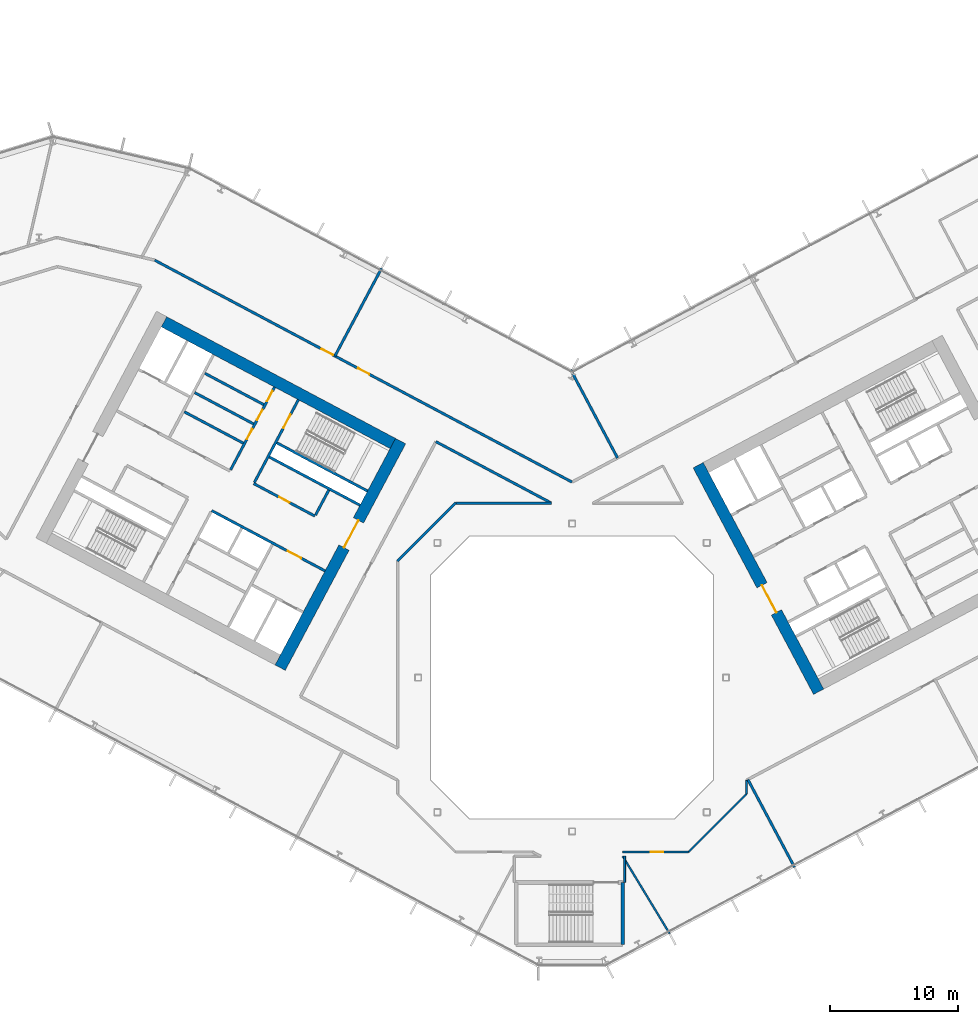
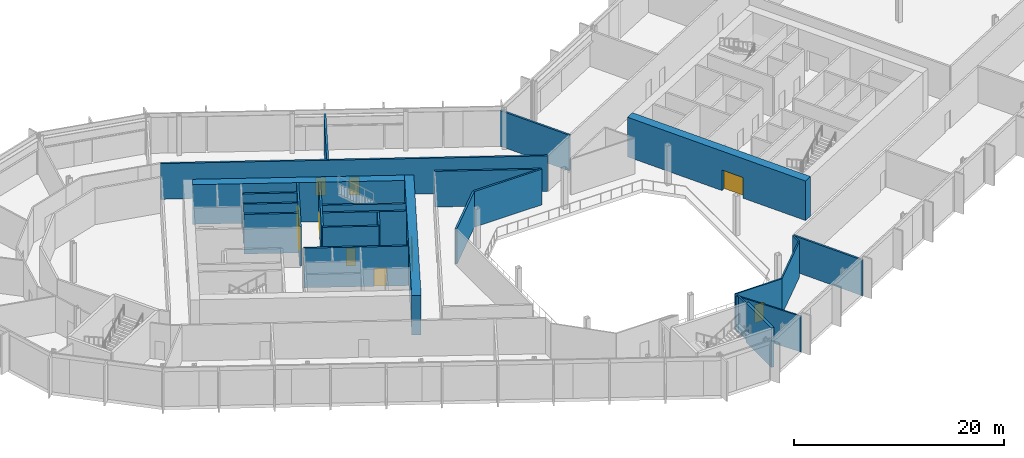
# One storey, part 16 of 31: 26 walls, 11 doors, 11 openings.
"""IFC4 building model written with IfcOpenShell, lengths in metres."""

from ifc_helpers import new_model, si_unit, direction, frame, frame_2d, origin, place, context, subcontext, project, spatial, rectangle, extrude, material, layer, layer_set, type_object, element, fill, save


model = new_model("IFC4")

# Units and contexts
model_context = context("Model", 3, precision=1e-05, world=origin(), true_north=direction((0.0, 1.0)))
body_context = subcontext(model_context, "Body", "Model", "MODEL_VIEW")
ifc_project = project(units=[si_unit("LENGTHUNIT", "METRE"), si_unit("AREAUNIT", "SQUARE_METRE"), si_unit("VOLUMEUNIT", "CUBIC_METRE"), si_unit("PLANEANGLEUNIT", "RADIAN"), si_unit("MASSUNIT", "GRAM", prefix="KILO")], contexts=[model_context])

# Site, building, storey
site_placement = place(None, origin())
site = spatial("IfcSite", under=ifc_project, at=site_placement, CompositionType="ELEMENT")
building_placement = place(site_placement, origin())
building = spatial("IfcBuilding", under=site, at=building_placement, Name="Cormorant Relay Tower", CompositionType="ELEMENT")
storey_placement = place(building_placement, frame((0.0, 0.0, 107.60009765625)))
storey = spatial("IfcBuildingStorey", under=building, at=storey_placement, Name="L21", CompositionType="ELEMENT", Elevation=107.60009765625)

# Walls
ifc_material_1 = material(Name="Concrete 40 MPa", Category="concrete")
ifc_layer_1 = layer(ifc_material_1, 0.199951171875)
ifc_layer_set_1 = layer_set([ifc_layer_1], Name="Core internal wall 200")
wall_type_1 = type_object("IfcWallType", Name="Core internal wall 200", PredefinedType="SOLIDWALL", material=ifc_layer_set_1)
for number, where, z_axis, x_axis, name in (
    (1, (-24.02685546875, 21.26953125, 0.0), (0.0, 0.0, 1.0), (-0.882934506056, 0.469496174655, 0.0), "L21 core A shaft and room wall"),
    (2, (-24.824951171875, 19.7685546875, 0.0), (0.0, 0.0, 1.0), (-0.882934506056, 0.469496174655, 0.0), "L21 core A shaft and room wall"),
):
    element("IfcWall", number, at=place(storey_placement, frame(where, z_axis=z_axis, x_axis=x_axis)), inside=storey, type_object=wall_type_1, Name=name, PredefinedType="SOLIDWALL", context=body_context, shape_type="SweptSolid", body=[
        extrude(rectangle(XDim=5.199951171875, YDim=0.199951171875, at=frame_2d((2.60009765625, 0.0))), origin(), (0.0, 0.0, 1.0), 4.599853515625),
    ])
ifc_material_2 = material(Name="Concrete 50 MPa", Category="concrete")
ifc_layer_2 = layer(ifc_material_2, 0.199951171875)
ifc_layer_set_2 = layer_set([ifc_layer_2], Name="Core shaft wall 200")
wall_type_2 = type_object("IfcWallType", Name="Core shaft wall 200", PredefinedType="SHEAR", material=ifc_layer_set_2)
wall_1_placement = place(storey_placement, frame((-18.959716796875, 14.611328125, 0.0), z_axis=(0.0, 0.0, 1.0), x_axis=(-0.4694473164, -0.882960484464, 0.0)))
element("IfcWall", 3, at=wall_1_placement, inside=storey, type_object=wall_type_2, Name="L21 core A shaft wall", PredefinedType="SHEAR", context=body_context, shape_type="SweptSolid", body=[
    extrude(rectangle(XDim=2.199951171875, YDim=0.199951171875, at=frame_2d((1.10009765625, 0.0))), origin(), (0.0, 0.0, 1.0), 4.599853515625),
])

# Wall, opening, door
wall_2_placement = place(storey_placement, frame((-21.333251953125, 21.6494140625, 0.0), z_axis=(0.0, 0.0, 1.0), x_axis=(-0.469494272526, -0.882935517501, 0.0)))
wall_2 = element("IfcWall", 4, at=wall_2_placement, inside=storey, type_object=wall_type_2, Name="L21 core A shaft wall", PredefinedType="SHEAR", context=body_context, shape_type="SweptSolid", body=[
    extrude(rectangle(XDim=7.2998046875, YDim=0.199951171875, at=frame_2d((3.64990234375, 0.0))), origin(), (0.0, 0.0, 1.0), 4.599853515625),
])
opening_1_placement = place(wall_2_placement, frame((1.300048828125, 0.0, 0.0)))
opening_1 = element("IfcOpeningElement", 5, at=opening_1_placement, cuts=wall_2, Name="Opening CDB-024", PredefinedType="OPENING", context=body_context, shape_type="SweptSolid", body=[
    extrude(rectangle(XDim=1.199951171875, YDim=2.10009765625, at=frame_2d((0.60009765625, 1.050048828125))), frame((0.0, 0.10986328125, 0.0), z_axis=(0.0, -1.0, 0.0), x_axis=(1.0, 0.0, 0.0)), (0.0, 0.0, 1.0), 0.219970703125),
])
ifc_material_3 = material(Name="Steel fire door", Category="steel")
door_type_1 = type_object("IfcDoorType", Name="Core stair door 1200x2100", OperationType="SINGLE_SWING_LEFT", PredefinedType="DOOR", material=ifc_material_3)
door_1_placement = place(opening_1_placement, origin())
door_1 = element("IfcDoor", 6, at=door_1_placement, inside=storey, type_object=door_type_1, Name="Core stair door 1200x2100", OperationType="SINGLE_SWING_RIGHT", OverallHeight=2.10009765625, OverallWidth=1.199951171875, PredefinedType="DOOR", context=body_context, shape_type="SweptSolid", body=[
    extrude(rectangle(XDim=1.199951171875, YDim=2.10009765625, at=frame_2d((0.60009765625, 1.050048828125))), frame((0.0, 0.02490234375, 0.0), z_axis=(0.0, -1.0, 0.0), x_axis=(1.0, 0.0, 0.0)), (0.0, 0.0, 1.0), 0.050048828125),
])
fill(opening_1, door_1)

# Wall, openings, doors
wall_3_placement = place(storey_placement, frame((-23.1875, 22.635498046875, 0.0), z_axis=(0.0, 0.0, 1.0), x_axis=(-0.469454336211, -0.882956752176, 0.0)))
wall_3 = element("IfcWall", 7, at=wall_3_placement, inside=storey, type_object=wall_type_2, Name="L21 core A shaft wall", PredefinedType="SHEAR", context=body_context, shape_type="SweptSolid", body=[
    extrude(rectangle(XDim=7.300048828125, YDim=0.199951171875, at=frame_2d((3.64990234375, 0.0))), origin(), (0.0, 0.0, 1.0), 4.599853515625),
])
opening_2_placement = place(wall_3_placement, frame((0.35009765625, 0.0, 0.0)))
opening_2 = element("IfcOpeningElement", 8, at=opening_2_placement, cuts=wall_3, Name="Opening CDD-145", PredefinedType="OPENING", context=body_context, shape_type="SweptSolid", body=[
    extrude(rectangle(XDim=0.89990234375, YDim=2.10009765625, at=frame_2d((0.449951171875, 1.050048828125))), frame((0.0, 0.10986328125, 0.0), z_axis=(0.0, -1.0, 0.0), x_axis=(1.0, 0.0, 0.0)), (0.0, 0.0, 1.0), 0.219970703125),
])
opening_3_placement = place(wall_3_placement, frame((2.0, 0.0, 0.0)))
opening_3 = element("IfcOpeningElement", 9, at=opening_3_placement, cuts=wall_3, Name="Opening CDD-146", PredefinedType="OPENING", context=body_context, shape_type="SweptSolid", body=[
    extrude(rectangle(XDim=0.89990234375, YDim=2.10009765625, at=frame_2d((0.449951171875, 1.050048828125))), frame((0.0, 0.10986328125, 0.0), z_axis=(0.0, -1.0, 0.0), x_axis=(1.0, 0.0, 0.0)), (0.0, 0.0, 1.0), 0.219970703125),
])
opening_4_placement = place(wall_3_placement, frame((3.699951171875, 0.0, 0.0)))
opening_4 = element("IfcOpeningElement", 10, at=opening_4_placement, cuts=wall_3, Name="Opening CDD-147", PredefinedType="OPENING", context=body_context, shape_type="SweptSolid", body=[
    extrude(rectangle(XDim=0.89990234375, YDim=2.10009765625, at=frame_2d((0.449951171875, 1.050048828125))), frame((0.0, 0.10986328125, 0.0), z_axis=(0.0, -1.0, 0.0), x_axis=(1.0, 0.0, 0.0)), (0.0, 0.0, 1.0), 0.219970703125),
])
ifc_material_4 = material(Name="Steel fire door", Category="steel")
door_type_2 = type_object("IfcDoorType", Name="Core room door 900x2100", OperationType="SINGLE_SWING_LEFT", PredefinedType="DOOR", material=ifc_material_4)
door_2_placement = place(opening_2_placement, origin())
door_2 = element("IfcDoor", 11, at=door_2_placement, inside=storey, type_object=door_type_2, Name="Core room door 900x2100", OperationType="SINGLE_SWING_LEFT", OverallHeight=2.10009765625, OverallWidth=0.89990234375, PredefinedType="DOOR", context=body_context, shape_type="SweptSolid", body=[
    extrude(rectangle(XDim=0.89990234375, YDim=2.10009765625, at=frame_2d((0.449951171875, 1.050048828125))), frame((0.0, 0.02490234375, 0.0), z_axis=(0.0, -1.0, 0.0), x_axis=(1.0, 0.0, 0.0)), (0.0, 0.0, 1.0), 0.050048828125),
])
fill(opening_2, door_2)
door_3_placement = place(opening_3_placement, origin())
door_3 = element("IfcDoor", 12, at=door_3_placement, inside=storey, type_object=door_type_2, Name="Core room door 900x2100", OperationType="SINGLE_SWING_LEFT", OverallHeight=2.10009765625, OverallWidth=0.89990234375, PredefinedType="DOOR", context=body_context, shape_type="SweptSolid", body=[
    extrude(rectangle(XDim=0.89990234375, YDim=2.10009765625, at=frame_2d((0.449951171875, 1.050048828125))), frame((0.0, 0.02490234375, 0.0), z_axis=(0.0, -1.0, 0.0), x_axis=(1.0, 0.0, 0.0)), (0.0, 0.0, 1.0), 0.050048828125),
])
fill(opening_3, door_3)
door_4_placement = place(opening_4_placement, frame((0.89990234375, 0.0, 0.0), z_axis=(0.0, 0.0, 1.0), x_axis=(-1.0, 0.0, 0.0)))
door_4 = element("IfcDoor", 13, at=door_4_placement, inside=storey, type_object=door_type_2, Name="Core room door 900x2100", OperationType="SINGLE_SWING_RIGHT", OverallHeight=2.10009765625, OverallWidth=0.89990234375, PredefinedType="DOOR", context=body_context, shape_type="SweptSolid", body=[
    extrude(rectangle(XDim=0.89990234375, YDim=2.10009765625, at=frame_2d((0.449951171875, 1.050048828125))), frame((0.0, 0.02490234375, 0.0), z_axis=(0.0, -1.0, 0.0), x_axis=(1.0, 0.0, 0.0)), (0.0, 0.0, 1.0), 0.050048828125),
])
fill(opening_4, door_4)

# Walls
wall_4_placement = place(storey_placement, frame((-15.94189453125, 14.53564453125, 0.0), z_axis=(0.0, 0.0, 1.0), x_axis=(-0.882946947542, 0.469472776449, 0.0)))
element("IfcWall", 14, at=wall_4_placement, inside=storey, type_object=wall_type_2, Name="L21 core A shaft wall", PredefinedType="SHEAR", context=body_context, shape_type="SweptSolid", body=[
    extrude(rectangle(XDim=8.000244140625, YDim=0.199951171875, at=frame_2d((4.0, 0.0))), origin(), (0.0, 0.0, 1.0), 4.599853515625),
])
wall_5_placement = place(storey_placement, frame((-16.52880859375, 13.43212890625, 0.0), z_axis=(0.0, 0.0, 1.0), x_axis=(-0.88295287151, 0.469461634952, 0.0)))
element("IfcWall", 15, at=wall_5_placement, inside=storey, type_object=wall_type_2, Name="L21 core A shaft wall", PredefinedType="SHEAR", context=body_context, shape_type="SweptSolid", body=[
    extrude(rectangle(XDim=7.999755859375, YDim=0.199951171875, at=frame_2d((4.0, 0.0))), origin(), (0.0, 0.0, 1.0), 4.599853515625),
])
wall_6_placement = place(storey_placement, frame((-25.623046875, 18.267578125, 0.0), z_axis=(0.0, 0.0, 1.0), x_axis=(-0.882953967957, 0.469459572775, 0.0)))
element("IfcWall", 16, at=wall_6_placement, inside=storey, type_object=wall_type_2, Name="L21 core A shaft wall", PredefinedType="SHEAR", context=body_context, shape_type="SweptSolid", body=[
    extrude(rectangle(XDim=5.199951171875, YDim=0.199951171875, at=frame_2d((2.60009765625, 0.0))), origin(), (0.0, 0.0, 1.0), 4.599853515625),
])

# Wall, opening, door
wall_7_placement = place(storey_placement, frame((-20.03955078125, 12.58056640625, 0.0), z_axis=(0.0, 0.0, 1.0), x_axis=(-0.882942972946, 0.469480251476, 0.0)))
wall_7 = element("IfcWall", 17, at=wall_7_placement, inside=storey, type_object=wall_type_2, Name="L21 core A shaft wall", PredefinedType="SHEAR", context=body_context, shape_type="SweptSolid", body=[
    extrude(rectangle(XDim=5.39990234375, YDim=0.199951171875, at=frame_2d((2.699951171875, 0.0))), origin(), (0.0, 0.0, 1.0), 4.599853515625),
])
opening_5_placement = place(wall_7_placement, frame((2.25, 0.0, 0.0)))
opening_5 = element("IfcOpeningElement", 18, at=opening_5_placement, cuts=wall_7, Name="Opening CDD-127", PredefinedType="OPENING", context=body_context, shape_type="SweptSolid", body=[
    extrude(rectangle(XDim=0.89990234375, YDim=2.10009765625, at=frame_2d((0.449951171875, 1.050048828125))), frame((0.0, 0.10986328125, 0.0), z_axis=(0.0, -1.0, 0.0), x_axis=(1.0, 0.0, 0.0)), (0.0, 0.0, 1.0), 0.219970703125),
])
door_5_placement = place(opening_5_placement, frame((0.89990234375, 0.0, 0.0), z_axis=(0.0, 0.0, 1.0), x_axis=(-1.0, 0.0, 0.0)))
door_5 = element("IfcDoor", 19, at=door_5_placement, inside=storey, type_object=door_type_2, Name="Core room door 900x2100", OperationType="SINGLE_SWING_RIGHT", OverallHeight=2.10009765625, OverallWidth=0.89990234375, PredefinedType="DOOR", context=body_context, shape_type="SweptSolid", body=[
    extrude(rectangle(XDim=0.89990234375, YDim=2.10009765625, at=frame_2d((0.449951171875, 1.050048828125))), frame((0.0, 0.02490234375, 0.0), z_axis=(0.0, -1.0, 0.0), x_axis=(1.0, 0.0, 0.0)), (0.0, 0.0, 1.0), 0.050048828125),
])
fill(opening_5, door_5)

wall_8_placement = place(storey_placement, frame((-19.251708984375, 8.31103515625, 0.0), z_axis=(0.0, 0.0, 1.0), x_axis=(-0.882955722218, 0.469456273365, 0.0)))
wall_8 = element("IfcWall", 20, at=wall_8_placement, inside=storey, type_object=wall_type_2, Name="L21 core A shaft wall", PredefinedType="SHEAR", context=body_context, shape_type="SweptSolid", body=[
    extrude(rectangle(XDim=10.0, YDim=0.199951171875, at=frame_2d((5.0, 0.0))), origin(), (0.0, 0.0, 1.0), 4.599853515625),
])
opening_6_placement = place(wall_8_placement, frame((2.10009765625, 0.0, 0.0)))
opening_6 = element("IfcOpeningElement", 21, at=opening_6_placement, cuts=wall_8, Name="Opening CDC-017", PredefinedType="OPENING", context=body_context, shape_type="SweptSolid", body=[
    extrude(rectangle(XDim=1.199951171875, YDim=2.10009765625, at=frame_2d((0.60009765625, 1.050048828125))), frame((0.0, 0.10986328125, 0.0), z_axis=(0.0, -1.0, 0.0), x_axis=(1.0, 0.0, 0.0)), (0.0, 0.0, 1.0), 0.219970703125),
])
ifc_material_5 = material(Name="Steel fire door", Category="steel")
door_type_3 = type_object("IfcDoorType", Name="Core lobby door 1200x2100", OperationType="SINGLE_SWING_LEFT", PredefinedType="DOOR", material=ifc_material_5)
door_6_placement = place(opening_6_placement, origin())
door_6 = element("IfcDoor", 22, at=door_6_placement, inside=storey, type_object=door_type_3, Name="Core lobby door 1200x2100", OperationType="SINGLE_SWING_RIGHT", OverallHeight=2.10009765625, OverallWidth=1.199951171875, PredefinedType="DOOR", context=body_context, shape_type="SweptSolid", body=[
    extrude(rectangle(XDim=1.199951171875, YDim=2.10009765625, at=frame_2d((0.60009765625, 1.050048828125))), frame((0.0, 0.02490234375, 0.0), z_axis=(0.0, -1.0, 0.0), x_axis=(1.0, 0.0, 0.0)), (0.0, 0.0, 1.0), 0.050048828125),
])
fill(opening_6, door_6)

ifc_material_6 = material(Name="Concrete 70 MPa", Category="concrete")
ifc_layer_3 = layer(ifc_material_6, 0.89990234375)
ifc_layer_set_3 = layer_set([ifc_layer_3], Name="Core wall 900")
wall_type_3 = type_object("IfcWallType", Name="Core wall 900", PredefinedType="SHEAR", material=ifc_layer_set_3)
wall_9_placement = place(storey_placement, frame((-13.361572265625, 18.43017578125, 0.0), z_axis=(0.0, 0.0, 1.0), x_axis=(-0.46947084998, -0.882947971864, 0.0)))
wall_9 = element("IfcWall", 23, at=wall_9_placement, inside=storey, type_object=wall_type_3, Name="L21 core A wall", PredefinedType="SHEAR", context=body_context, shape_type="SweptSolid", body=[
    extrude(rectangle(XDim=20.0, YDim=0.89990234375, at=frame_2d((10.0, 0.0))), origin(), (0.0, 0.0, 1.0), 4.599853515625),
])
opening_7_placement = place(wall_9_placement, frame((7.0, 0.0, 0.0)))
opening_7 = element("IfcOpeningElement", 24, at=opening_7_placement, cuts=wall_9, Name="Opening CDA-017", PredefinedType="OPENING", context=body_context, shape_type="SweptSolid", body=[
    extrude(rectangle(XDim=2.39990234375, YDim=2.39990234375, at=frame_2d((1.199951171875, 1.199951171875))), frame((0.0, 0.4599609375, 0.0), z_axis=(0.0, -1.0, 0.0), x_axis=(1.0, 0.0, 0.0)), (0.0, 0.0, 1.0), 0.919921875),
])
ifc_material_7 = material(Name="Steel fire door", Category="steel")
door_type_4 = type_object("IfcDoorType", Name="Core lobby door 2400x2400", OperationType="DOUBLE_DOOR_SINGLE_SWING", PredefinedType="DOOR", material=ifc_material_7)
door_7_placement = place(opening_7_placement, frame((2.39990234375, 0.0, 0.0), z_axis=(0.0, 0.0, 1.0), x_axis=(-1.0, 0.0, 0.0)))
door_7 = element("IfcDoor", 25, at=door_7_placement, inside=storey, type_object=door_type_4, Name="Core lobby door 2400x2400", OperationType="DOUBLE_DOOR_SINGLE_SWING", OverallHeight=2.39990234375, OverallWidth=2.39990234375, PredefinedType="DOOR", context=body_context, shape_type="SweptSolid", body=[
    extrude(rectangle(XDim=2.39990234375, YDim=2.39990234375, at=frame_2d((1.199951171875, 1.199951171875))), frame((0.0, 0.02490234375, 0.0), z_axis=(0.0, -1.0, 0.0), x_axis=(1.0, 0.0, 0.0)), (0.0, 0.0, 1.0), 0.050048828125),
])
fill(opening_7, door_7)

# Wall
wall_10_placement = place(storey_placement, frame((-13.97021484375, 18.244140625, 0.0), z_axis=(0.0, 0.0, 1.0), x_axis=(-0.88294509198, 0.469476266226, 0.0)))
element("IfcWall", 26, at=wall_10_placement, inside=storey, type_object=wall_type_3, Name="L21 core A wall", PredefinedType="SHEAR", context=body_context, shape_type="SweptSolid", body=[
    extrude(rectangle(XDim=20.199951171875, YDim=0.89990234375, at=frame_2d((10.10009765625, 0.0))), origin(), (0.0, 0.0, 1.0), 4.599853515625),
])

# Wall, opening, door
wall_11_placement = place(storey_placement, frame((19.21923828125, -1.106689453125, 0.0), z_axis=(0.0, 0.0, 1.0), x_axis=(-0.46947084998, 0.882947971864, 0.0)))
wall_11 = element("IfcWall", 27, at=wall_11_placement, inside=storey, type_object=wall_type_3, Name="L21 core B wall", PredefinedType="SHEAR", context=body_context, shape_type="SweptSolid", body=[
    extrude(rectangle(XDim=20.0, YDim=0.89990234375, at=frame_2d((10.0, 0.0))), origin(), (0.0, 0.0, 1.0), 4.599853515625),
])
opening_8_placement = place(wall_11_placement, frame((7.0, 0.0, 0.0)))
opening_8 = element("IfcOpeningElement", 28, at=opening_8_placement, cuts=wall_11, Name="Opening CDA-019", PredefinedType="OPENING", context=body_context, shape_type="SweptSolid", body=[
    extrude(rectangle(XDim=2.39990234375, YDim=2.39990234375, at=frame_2d((1.199951171875, 1.199951171875))), frame((0.0, 0.4599609375, 0.0), z_axis=(0.0, -1.0, 0.0), x_axis=(1.0, 0.0, 0.0)), (0.0, 0.0, 1.0), 0.919921875),
])
door_8_placement = place(opening_8_placement, frame((2.39990234375, 0.0, 0.0), z_axis=(0.0, 0.0, 1.0), x_axis=(-1.0, 0.0, 0.0)))
door_8 = element("IfcDoor", 29, at=door_8_placement, inside=storey, type_object=door_type_4, Name="Core lobby door 2400x2400", OperationType="DOUBLE_DOOR_SINGLE_SWING", OverallHeight=2.39990234375, OverallWidth=2.39990234375, PredefinedType="DOOR", context=body_context, shape_type="SweptSolid", body=[
    extrude(rectangle(XDim=2.39990234375, YDim=2.39990234375, at=frame_2d((1.199951171875, 1.199951171875))), frame((0.0, 0.02490234375, 0.0), z_axis=(0.0, -1.0, 0.0), x_axis=(1.0, 0.0, 0.0)), (0.0, 0.0, 1.0), 0.050048828125),
])
fill(opening_8, door_8)

# Wall, openings, doors
ifc_material_8 = material(Name="Fire-rated gypsum board partition")
ifc_layer_4 = layer(ifc_material_8, 0.199951171875)
ifc_layer_set_4 = layer_set([ifc_layer_4], Name="Fire-rated gypsum partition 200")
wall_type_4 = type_object("IfcWallType", Name="Fire-rated gypsum partition 200", PredefinedType="PARTITIONING", material=ifc_layer_set_4)
wall_12_placement = place(storey_placement, frame((-32.541015625, 32.534912109375, 0.0), z_axis=(0.0, 0.0, 1.0), x_axis=(0.882951675281, -0.469463884787, 0.0)))
wall_12 = element("IfcWall", 30, at=wall_12_placement, inside=storey, type_object=wall_type_4, Name="wall/L21/part/32", PredefinedType="PARTITIONING", context=body_context, shape_type="SweptSolid", body=[
    extrude(rectangle(XDim=36.854736328125, YDim=0.199951171875, at=frame_2d((18.42724609375, 0.0))), origin(), (0.0, 0.0, 1.0), 4.14990234375),
])
opening_9_placement = place(wall_12_placement, frame((17.949951171875, 0.0, 0.0)))
opening_9 = element("IfcOpeningElement", 31, at=opening_9_placement, cuts=wall_12, Name="Opening FD1-118", PredefinedType="OPENING", context=body_context, shape_type="SweptSolid", body=[
    extrude(rectangle(XDim=1.0, YDim=2.10009765625, at=frame_2d((0.5, 1.050048828125))), frame((0.0, 0.10986328125, 0.0), z_axis=(0.0, -1.0, 0.0), x_axis=(1.0, 0.0, 0.0)), (0.0, 0.0, 1.0), 0.219970703125),
])
opening_10_placement = place(wall_12_placement, frame((14.75, 0.0, 0.0)))
opening_10 = element("IfcOpeningElement", 32, at=opening_10_placement, cuts=wall_12, Name="Opening FD1-119", PredefinedType="OPENING", context=body_context, shape_type="SweptSolid", body=[
    extrude(rectangle(XDim=1.0, YDim=2.10009765625, at=frame_2d((0.5, 1.050048828125))), frame((0.0, 0.10986328125, 0.0), z_axis=(0.0, -1.0, 0.0), x_axis=(1.0, 0.0, 0.0)), (0.0, 0.0, 1.0), 0.219970703125),
])
ifc_material_9 = material(Name="Fire-rated steel door", Category="steel")
door_type_5 = type_object("IfcDoorType", Name="Fire door 1000 x 2100", OperationType="SINGLE_SWING_LEFT", PredefinedType="DOOR", material=ifc_material_9)
door_9_placement = place(opening_9_placement, origin())
door_9 = element("IfcDoor", 33, at=door_9_placement, inside=storey, type_object=door_type_5, Name="door/L21/12", OperationType="SINGLE_SWING_RIGHT", OverallHeight=2.10009765625, OverallWidth=1.0, PredefinedType="DOOR", context=body_context, shape_type="SweptSolid", body=[
    extrude(rectangle(XDim=1.0, YDim=2.10009765625, at=frame_2d((0.5, 1.050048828125))), frame((0.0, 0.02490234375, 0.0), z_axis=(0.0, -1.0, 0.0), x_axis=(1.0, 0.0, 0.0)), (0.0, 0.0, 1.0), 0.050048828125),
])
fill(opening_9, door_9)
door_10_placement = place(opening_10_placement, origin())
door_10 = element("IfcDoor", 34, at=door_10_placement, inside=storey, type_object=door_type_5, Name="door/L21/13", OperationType="SINGLE_SWING_RIGHT", OverallHeight=2.10009765625, OverallWidth=1.0, PredefinedType="DOOR", context=body_context, shape_type="SweptSolid", body=[
    extrude(rectangle(XDim=1.0, YDim=2.10009765625, at=frame_2d((0.5, 1.050048828125))), frame((0.0, 0.02490234375, 0.0), z_axis=(0.0, -1.0, 0.0), x_axis=(1.0, 0.0, 0.0)), (0.0, 0.0, 1.0), 0.050048828125),
])
fill(opening_10, door_10)

# Walls
wall_13_placement = place(storey_placement, frame((-14.843994140625, 31.903076171875, 0.0), z_axis=(0.0, 0.0, 1.0), x_axis=(-0.469317225666, -0.883029638061, 0.0)))
element("IfcWall", 35, at=wall_13_placement, inside=storey, type_object=wall_type_4, Name="wall/L21/part/34", PredefinedType="PARTITIONING", context=body_context, shape_type="SweptSolid", body=[
    extrude(rectangle(XDim=7.74951171875, YDim=0.199951171875, at=frame_2d((3.874755859375, 0.0))), origin(), (0.0, 0.0, 1.0), 4.14990234375),
])
wall_14_placement = place(storey_placement, frame((-0.10498046875, 23.98388671875, 0.0), z_axis=(0.0, 0.0, 1.0), x_axis=(0.469391658377, -0.882990074149, 0.0)))
element("IfcWall", 36, at=wall_14_placement, inside=storey, type_object=wall_type_4, Name="wall/L21/part/35", PredefinedType="PARTITIONING", context=body_context, shape_type="SweptSolid", body=[
    extrude(rectangle(XDim=7.77587890625, YDim=0.199951171875, at=frame_2d((3.887939453125, 0.0))), origin(), (0.0, 0.0, 1.0), 4.14990234375),
])
wall_15_placement = place(storey_placement, frame((13.7041015625, -7.946044921875, 0.0), z_axis=(0.0, 0.0, 1.0), x_axis=(0.469513711464, -0.882925180719, 0.0)))
element("IfcWall", 37, at=wall_15_placement, inside=storey, type_object=wall_type_4, Name="wall/L21/part/48", PredefinedType="PARTITIONING", context=body_context, shape_type="SweptSolid", body=[
    extrude(rectangle(XDim=7.75048828125, YDim=0.199951171875, at=frame_2d((3.875244140625, 0.0))), origin(), (0.0, 0.0, 1.0), 4.14990234375),
])
wall_16_placement = place(storey_placement, frame((-10.612060546875, 18.384033203125, 0.0), z_axis=(0.0, 0.0, 1.0), x_axis=(0.882943182981, -0.469479856467, 0.0)))
element("IfcWall", 38, at=wall_16_placement, inside=storey, type_object=wall_type_4, Name="wall/L21/part/76", PredefinedType="PARTITIONING", context=body_context, shape_type="SweptSolid", body=[
    extrude(rectangle(XDim=10.18994140625, YDim=0.199951171875, at=frame_2d((5.094970703125, 0.0))), origin(), (0.0, 0.0, 1.0), 4.14990234375),
])
wall_17_placement = place(storey_placement, frame((-1.614990234375, 13.60009765625, 0.0), z_axis=(0.0, 0.0, 1.0), x_axis=(-1.0, 0.0, 0.0)))
element("IfcWall", 39, at=wall_17_placement, inside=storey, type_object=wall_type_4, Name="wall/L21/part/77", PredefinedType="PARTITIONING", context=body_context, shape_type="SweptSolid", body=[
    extrude(rectangle(XDim=7.4619140625, YDim=0.199951171875, at=frame_2d((3.73095703125, 0.0))), origin(), (0.0, 0.0, 1.0), 4.14990234375),
])
wall_18_placement = place(storey_placement, frame((-9.076904296875, 13.60009765625, 0.0), z_axis=(0.0, 0.0, 1.0), x_axis=(-0.707106781187, -0.707106781187, 0.0)))
element("IfcWall", 40, at=wall_18_placement, inside=storey, type_object=wall_type_4, Name="wall/L21/part/78", PredefinedType="PARTITIONING", context=body_context, shape_type="SweptSolid", body=[
    extrude(rectangle(XDim=6.396728515625, YDim=0.199951171875, at=frame_2d((3.1982421875, 0.0))), origin(), (0.0, 0.0, 1.0), 4.14990234375),
])
ifc_material_10 = material(Name="Gypsum board partition")
ifc_layer_5 = layer(ifc_material_10, 0.14990234375)
ifc_layer_set_5 = layer_set([ifc_layer_5], Name="Gypsum board partition 150")
wall_type_5 = type_object("IfcWallType", Name="Gypsum board partition 150", PredefinedType="PARTITIONING", material=ifc_layer_set_5)
wall_19_placement = place(storey_placement, frame((4.10009765625, -13.925048828125, 0.0), z_axis=(0.0, 0.0, 1.0), x_axis=(0.0, -1.0, 0.0)))
element("IfcWall", 41, at=wall_19_placement, inside=storey, type_object=wall_type_5, Name="wall/L21/part/43", PredefinedType="PARTITIONING", context=body_context, shape_type="SweptSolid", body=[
    extrude(rectangle(XDim=2.050048828125, YDim=0.14990234375, at=frame_2d((1.02490234375, 0.0))), origin(), (0.0, 0.0, 1.0), 4.14990234375),
])
wall_20_placement = place(storey_placement, frame((13.60009765625, -8.007080078125, 0.0), z_axis=(0.0, 0.0, 1.0), x_axis=(0.0, -1.0, 0.0)))
element("IfcWall", 42, at=wall_20_placement, inside=storey, type_object=wall_type_5, Name="wall/L21/part/44", PredefinedType="PARTITIONING", context=body_context, shape_type="SweptSolid", body=[
    extrude(rectangle(XDim=1.06982421875, YDim=0.14990234375, at=frame_2d((0.534912109375, 0.0))), origin(), (0.0, 0.0, 1.0), 4.14990234375),
])
wall_21_placement = place(storey_placement, frame((13.60009765625, -9.076904296875, 0.0), z_axis=(0.0, 0.0, 1.0), x_axis=(-0.707106781187, -0.707106781187, 0.0)))
element("IfcWall", 43, at=wall_21_placement, inside=storey, type_object=wall_type_5, Name="wall/L21/part/45", PredefinedType="PARTITIONING", context=body_context, shape_type="SweptSolid", body=[
    extrude(rectangle(XDim=6.396728515625, YDim=0.14990234375, at=frame_2d((3.1982421875, 0.0))), origin(), (0.0, 0.0, 1.0), 4.14990234375),
])

# Wall, opening, door
wall_22_placement = place(storey_placement, frame((9.076904296875, -13.60009765625, 0.0), z_axis=(0.0, 0.0, 1.0), x_axis=(-1.0, 0.0, 0.0)))
wall_22 = element("IfcWall", 44, at=wall_22_placement, inside=storey, type_object=wall_type_5, Name="wall/L21/part/46", PredefinedType="PARTITIONING", context=body_context, shape_type="SweptSolid", body=[
    extrude(rectangle(XDim=5.126953125, YDim=0.14990234375, at=frame_2d((2.5634765625, 0.0))), origin(), (0.0, 0.0, 1.0), 4.14990234375),
])
opening_11_placement = place(wall_22_placement, frame((1.949951171875, 0.0, 0.0)))
opening_11 = element("IfcOpeningElement", 45, at=opening_11_placement, cuts=wall_22, Name="Opening D1-054", PredefinedType="OPENING", context=body_context, shape_type="SweptSolid", body=[
    extrude(rectangle(XDim=1.0, YDim=2.10009765625, at=frame_2d((0.5, 1.050048828125))), frame((0.0, 0.0849609375, 0.0), z_axis=(0.0, -1.0, 0.0), x_axis=(1.0, 0.0, 0.0)), (0.0, 0.0, 1.0), 0.169921875),
])
ifc_material_11 = material(Name="Painted steel door", Category="steel")
door_type_6 = type_object("IfcDoorType", Name="Single door 1000 x 2100", OperationType="SINGLE_SWING_LEFT", PredefinedType="DOOR", material=ifc_material_11)
door_11_placement = place(opening_11_placement, origin())
door_11 = element("IfcDoor", 46, at=door_11_placement, inside=storey, type_object=door_type_6, Name="door/L21/3", OperationType="SINGLE_SWING_RIGHT", OverallHeight=2.10009765625, OverallWidth=1.0, PredefinedType="DOOR", context=body_context, shape_type="SweptSolid", body=[
    extrude(rectangle(XDim=1.0, YDim=2.10009765625, at=frame_2d((0.5, 1.050048828125))), frame((0.0, 0.02490234375, 0.0), z_axis=(0.0, -1.0, 0.0), x_axis=(1.0, 0.0, 0.0)), (0.0, 0.0, 1.0), 0.050048828125),
])
fill(opening_11, door_11)

# Walls
wall_23_placement = place(storey_placement, frame((7.60888671875, -19.965087890625, 0.0), z_axis=(0.0, 0.0, 1.0), x_axis=(-0.518126246201, 0.855304152333, 0.0)))
element("IfcWall", 47, at=wall_23_placement, inside=storey, type_object=wall_type_5, Name="wall/L21/part/47", PredefinedType="PARTITIONING", context=body_context, shape_type="SweptSolid", body=[
    extrude(rectangle(XDim=7.061767578125, YDim=0.14990234375, at=frame_2d((3.53076171875, 0.0))), origin(), (0.0, 0.0, 1.0), 4.14990234375),
])
ifc_material_12 = material(Name="Concrete 50 MPa", Category="concrete")
ifc_layer_6 = layer(ifc_material_12, 0.300048828125)
ifc_layer_set_6 = layer_set([ifc_layer_6], Name="Remote stair wall 300")
wall_type_6 = type_object("IfcWallType", Name="Remote stair wall 300", PredefinedType="SHEAR", material=ifc_layer_set_6)
wall_24_placement = place(storey_placement, frame((3.949951171875, -15.97509765625, 0.0), z_axis=(0.0, 0.0, 1.0), x_axis=(0.0, -1.0, 0.0)))
element("IfcWall", 48, at=wall_24_placement, inside=storey, type_object=wall_type_6, Name="L21 exit stair RK1 wall", PredefinedType="SHEAR", context=body_context, shape_type="SweptSolid", body=[
    extrude(rectangle(XDim=4.849853515625, YDim=0.300048828125, at=frame_2d((2.4248046875, 0.0))), origin(), (0.0, 0.0, 1.0), 4.599853515625),
])

save(model, "model.ifc")
